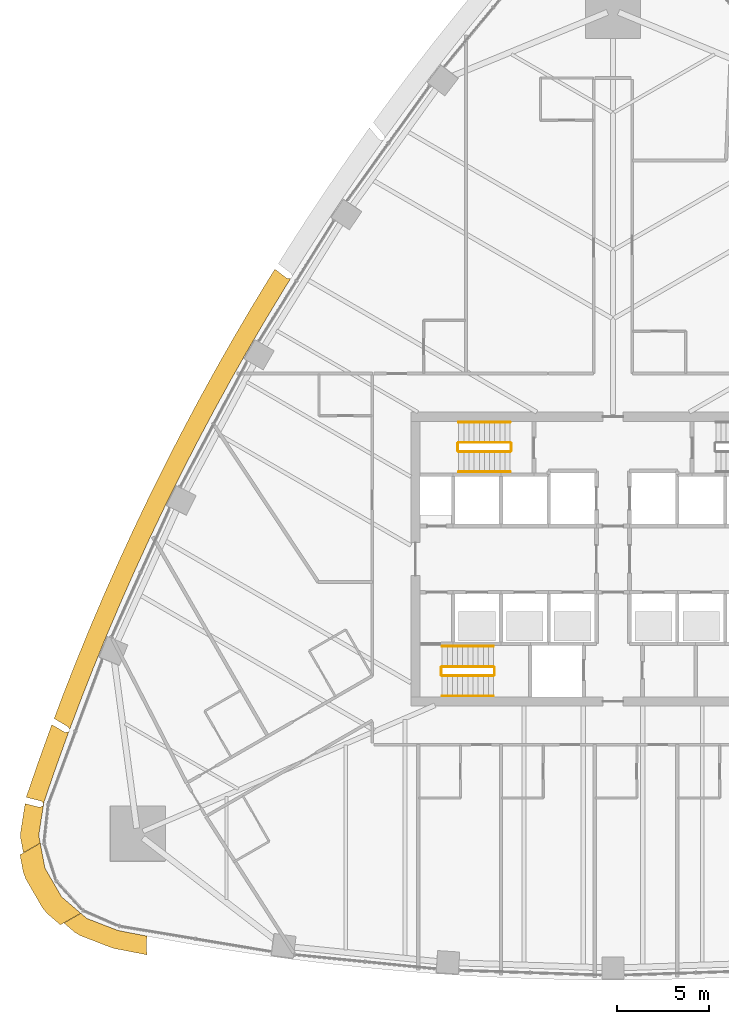
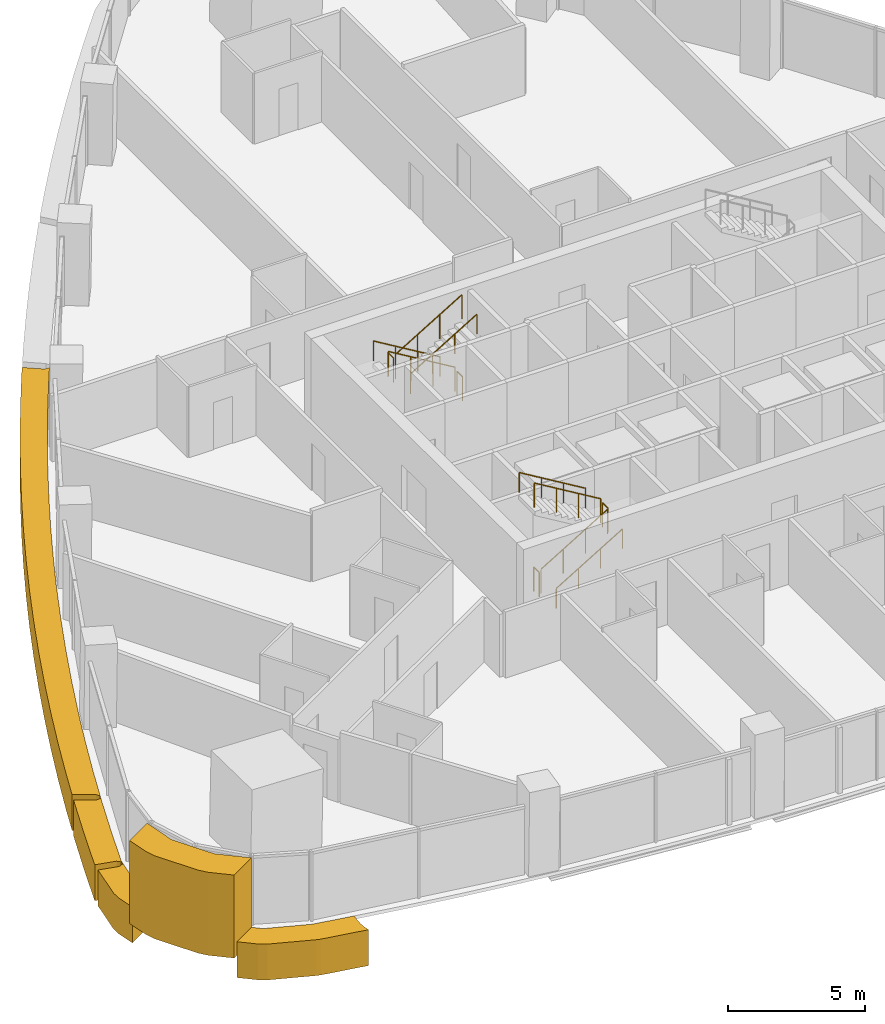
# One storey, part 14 of 17: 12 railings, 3 coverings.
"""IFC4 building model written with IfcOpenShell, lengths in metres."""

from ifc_helpers import new_model, si_unit, direction, frame, origin, origin_2d, place, context, subcontext, project, spatial, polyline, circle, outline, extrude, material, layer, layer_set, type_object, element, save


model = new_model("IFC4")

# Units and contexts
model_context = context("Model", 3, precision=1e-05, world=origin(), true_north=direction((0.0, 1.0)))
body_context = subcontext(model_context, "Body", "Model", "MODEL_VIEW")
ifc_project = project(units=[si_unit("LENGTHUNIT", "METRE"), si_unit("AREAUNIT", "SQUARE_METRE"), si_unit("VOLUMEUNIT", "CUBIC_METRE"), si_unit("PLANEANGLEUNIT", "RADIAN"), si_unit("MASSUNIT", "GRAM", prefix="KILO")], contexts=[model_context])

# Site, building, storey
site_placement = place(None, origin())
site = spatial("IfcSite", under=ifc_project, at=site_placement, CompositionType="ELEMENT")
building_placement = place(site_placement, origin())
building = spatial("IfcBuilding", under=site, at=building_placement, Name="Sierra Prisma Convention Tower", CompositionType="ELEMENT")
storey_placement = place(building_placement, frame((0.0, 0.0, 92.39990234375)))
storey = spatial("IfcBuildingStorey", under=building, at=storey_placement, Name="L19", CompositionType="ELEMENT", Elevation=92.39990234375)

# Coverings
ifc_material_1 = material(Name="Aluminium composite bronze anodised", Category="aluminium")
ifc_layer_1 = layer(ifc_material_1, 1.199951171875)
ifc_layer_set_1 = layer_set([ifc_layer_1], Name="Bronze corner pier")
covering_type_1 = type_object("IfcCoveringType", Name="Bronze corner pier", PredefinedType="CLADDING", material=ifc_layer_set_1)
covering_1_placement = place(storey_placement, frame((0.0, 0.0, -0.599853515625)))
element("IfcCovering", 1, at=covering_1_placement, inside=storey, type_object=covering_type_1, Name="Corner pier SW L19.1", PredefinedType="CLADDING", context=body_context, shape_type="SweptSolid", body=[
    extrude(outline(polyline([(-30.076904296875, -19.9052734375), (-30.79736328125, -19.288330078125), (-31.055908203125, -18.976806640625), (-31.96240234375, -17.406982421875), (-32.102783203125, -17.027099609375), (-32.27685546875, -16.0947265625), (-31.1748046875, -15.45849609375), (-30.923095703125, -16.806884765625), (-30.016845703125, -18.376708984375), (-28.974853515625, -19.26904296875), (-30.076904296875, -19.9052734375)])), origin(), (0.0, 0.0, 1.0), 3.699951171875),
])
ifc_material_2 = material(Name="Aluminium composite bronze anodised", Category="aluminium")
ifc_layer_2 = layer(ifc_material_2, 1.0)
ifc_layer_set_2 = layer_set([ifc_layer_2], Name="Bronze spandrel band")
covering_type_2 = type_object("IfcCoveringType", Name="Bronze spandrel band", PredefinedType="CLADDING", material=ifc_layer_set_2)
covering_2_placement = place(storey_placement, frame((0.0, 0.0, -1.599853515625)))
element("IfcCovering", 2, at=covering_2_placement, inside=storey, type_object=covering_type_2, Name="Spandrel band L19.1", PredefinedType="CLADDING", context=body_context, shape_type="SweptSolid", body=[
    extrude(outline(polyline([(-29.65869140625, -9.406982421875), (-29.65380859375, -9.40625), (-29.64892578125, -9.40478515625), (-29.644287109375, -9.403076171875), (-29.639892578125, -9.40087890625), (-29.6357421875, -9.398193359375), (-29.631591796875, -9.395263671875), (-29.628173828125, -9.3916015625), (-29.625, -9.387939453125), (-29.6220703125, -9.3837890625), (-29.61962890625, -9.37939453125), (-29.61767578125, -9.375), (-29.58251953125, -9.281494140625), (-29.580810546875, -9.2763671875), (-29.579833984375, -9.271484375), (-29.579345703125, -9.26611328125), (-29.579345703125, -9.260986328125), (-29.579833984375, -9.255859375), (-29.580810546875, -9.2509765625), (-29.58251953125, -9.245849609375), (-29.584716796875, -9.2412109375), (-29.587158203125, -9.23681640625), (-29.6533203125, -9.1337890625), (-29.656005859375, -9.1298828125), (-29.6591796875, -9.12646484375), (-29.66259765625, -9.123291015625), (-29.666015625, -9.120361328125), (-29.669921875, -9.11767578125), (-30.41845703125, -8.6748046875), (-29.943603515625, -7.412353515625), (-29.938720703125, -7.399169921875), (-29.230712890625, -5.595458984375), (-29.225341796875, -5.58203125), (-28.49169921875, -3.788818359375), (-28.486083984375, -3.775390625), (-27.72705078125, -1.99267578125), (-27.721435546875, -1.9794921875), (-26.93701171875, -0.207763671875), (-26.93115234375, -0.194580078125), (-26.12158203125, 1.56591796875), (-26.115478515625, 1.57861328125), (-25.281005859375, 3.327392578125), (-25.27490234375, 3.34033203125), (-24.415283203125, 5.076904296875), (-24.408935546875, 5.08984375), (-23.52490234375, 6.814208984375), (-23.518310546875, 6.82666015625), (-22.60986328125, 8.538330078125), (-22.60302734375, 8.55078125), (-21.67041015625, 10.249267578125), (-21.663330078125, 10.26171875), (-20.70654296875, 11.94677734375), (-20.699462890625, 11.958984375), (-19.718505859375, 13.630126953125), (-19.711181640625, 13.642333984375), (-18.706787109375, 15.299560546875), (-18.69921875, 15.3115234375), (-18.405517578125, 15.781005859375), (-17.74951171875, 15.285888671875), (-17.745361328125, 15.283203125), (-17.740966796875, 15.28076171875), (-17.736328125, 15.27880859375), (-17.7314453125, 15.27734375), (-17.7265625, 15.2763671875), (-17.7216796875, 15.27587890625), (-17.571044921875, 15.26953125), (-17.56640625, 15.26953125), (-17.5615234375, 15.27001953125), (-17.556884765625, 15.27099609375), (-17.55224609375, 15.2724609375), (-17.5478515625, 15.274169921875), (-17.543701171875, 15.276611328125), (-17.540283203125, 15.27880859375), (-17.8515625, 14.781005859375), (-18.856201171875, 13.1240234375), (-19.52294921875, 11.988037109375), (-19.524169921875, 11.9873046875), (-19.52783203125, 11.98388671875), (-19.53125, 11.98046875), (-19.5341796875, 11.9765625), (-19.536865234375, 11.972412109375), (-20.136962890625, 10.933349609375), (-20.13916015625, 10.928955078125), (-20.14111328125, 10.92431640625), (-20.142333984375, 10.919677734375), (-20.143310546875, 10.914794921875), (-20.143310546875, 10.913330078125), (-20.793701171875, 9.767822265625), (-21.7265625, 8.0693359375), (-22.635009765625, 6.35791015625), (-23.51904296875, 4.633544921875), (-23.81689453125, 4.031982421875), (-23.818359375, 4.03076171875), (-23.822021484375, 4.02734375), (-23.824951171875, 4.023681640625), (-23.82763671875, 4.019775390625), (-23.830078125, 4.015380859375), (-24.359619140625, 2.938720703125), (-24.361572265625, 2.93408203125), (-24.363037109375, 2.929443359375), (-24.36376953125, 2.9267578125), (-24.37841796875, 2.896728515625), (-25.213134765625, 1.14794921875), (-26.022705078125, -0.612548828125), (-26.80712890625, -2.384521484375), (-27.566162109375, -4.167236328125), (-27.578857421875, -4.1982421875), (-27.58056640625, -4.20068359375), (-27.5830078125, -4.204833984375), (-27.585205078125, -4.208984375), (-28.0419921875, -5.318603515625), (-28.043701171875, -5.3232421875), (-28.044921875, -5.328125), (-28.04541015625, -5.3330078125), (-28.0458984375, -5.337890625), (-28.045654296875, -5.339599609375), (-28.2998046875, -5.960693359375), (-29.0078125, -7.764404296875), (-29.68994140625, -9.578125), (-30.34619140625, -11.4013671875), (-30.9765625, -13.233642578125), (-31.255859375, -15.02490234375), (-31.1767578125, -15.447998046875), (-32.09521484375, -15.978271484375), (-32.23876953125, -15.208251953125), (-32.243896484375, -14.870849609375), (-32.00048828125, -13.309814453125), (-31.22900390625, -13.500244140625), (-31.22412109375, -13.501220703125), (-31.218994140625, -13.501708984375), (-31.214111328125, -13.501708984375), (-31.208984375, -13.501220703125), (-31.2041015625, -13.5), (-31.199462890625, -13.498291015625), (-31.05859375, -13.445068359375), (-31.05419921875, -13.443115234375), (-31.050048828125, -13.44091796875), (-31.0458984375, -13.43798828125), (-31.04248046875, -13.43505859375), (-31.0390625, -13.431640625), (-31.035888671875, -13.427734375), (-31.033447265625, -13.423828125), (-31.031005859375, -13.419677734375), (-31.029296875, -13.415283203125), (-31.02783203125, -13.41064453125), (-31.02685546875, -13.406005859375), (-31.011474609375, -13.30712890625), (-31.010986328125, -13.30224609375), (-31.010986328125, -13.297607421875), (-31.011474609375, -13.29248046875), (-31.01220703125, -13.287841796875), (-31.013671875, -13.283203125), (-31.015380859375, -13.27880859375), (-31.017578125, -13.2744140625), (-31.020263671875, -13.270263671875), (-31.023193359375, -13.2666015625), (-31.026611328125, -13.262939453125), (-31.123046875, -13.172607421875), (-31.126953125, -13.169189453125), (-31.131103515625, -13.166259765625), (-31.135498046875, -13.163818359375), (-31.140380859375, -13.161865234375), (-31.145263671875, -13.160400390625), (-31.936279296875, -12.965087890625), (-31.922119140625, -12.908447265625), (-31.2919921875, -11.076171875), (-31.287109375, -11.062744140625), (-30.630859375, -9.239501953125), (-30.6259765625, -9.22607421875), (-30.543701171875, -9.00732421875), (-29.848388671875, -9.4189453125), (-29.84423828125, -9.421142578125), (-29.83984375, -9.4228515625), (-29.83544921875, -9.42431640625), (-29.830810546875, -9.42529296875), (-29.826416015625, -9.42578125), (-29.82177734375, -9.42578125), (-29.81689453125, -9.425537109375), (-29.65869140625, -9.406982421875)])), origin(), (0.0, 0.0, 1.0), 1.599853515625),
])
covering_3_placement = place(storey_placement, frame((0.0, 0.0, -1.599853515625)))
element("IfcCovering", 3, at=covering_3_placement, inside=storey, type_object=covering_type_2, Name="Spandrel band L19.2", PredefinedType="CLADDING", context=body_context, shape_type="SweptSolid", body=[
    extrude(outline(polyline([(-29.290283203125, -20.3154296875), (-29.885009765625, -19.80615234375), (-28.966796875, -19.27587890625), (-28.639892578125, -19.555908203125), (-26.948974609375, -20.209716796875), (-25.35791015625, -20.519287109375), (-25.3720703125, -20.603515625), (-25.40087890625, -20.849365234375), (-25.405517578125, -21.096923828125), (-25.3857421875, -21.343994140625), (-25.350341796875, -21.539794921875), (-27.14013671875, -21.191162109375), (-27.309814453125, -21.142333984375), (-29.00048828125, -20.488525390625), (-29.290283203125, -20.3154296875)])), origin(), (0.0, 0.0, 1.0), 1.599853515625),
])

# Railings
ifc_material_3 = material(Name="Stainless steel", Category="steel")
railing_type_1 = type_object("IfcRailingType", Name="Exit stair handrail", PredefinedType="HANDRAIL", material=ifc_material_3)
railing_1_placement = place(storey_placement, frame((-9.300048828125, -7.449951171875, 0.168212890625)))
element("IfcRailing", 4, at=railing_1_placement, inside=storey, type_object=railing_type_1, Name="L19 S1 stair handrail 1", PredefinedType="HANDRAIL", context=body_context, shape_type="SweptSolid", body=[
    extrude(circle(Radius=0.02392578125, at=origin_2d()), frame((0.0, 0.0, 0.8759765625), z_axis=(0.857242210791, 0.0, 0.514913383045), x_axis=(0.0, 1.0, 0.0)), (0.0, 0.0, 1.0), 3.266357421875),
    extrude(circle(Radius=0.02099609375, at=origin_2d()), origin(), (0.0, 0.0, 1.0), 0.851806640625),
    extrude(circle(Radius=0.02099609375, at=origin_2d()), frame((0.933349609375, 0.0, 0.560546875)), (0.0, 0.0, 1.0), 0.851806640625),
    extrude(circle(Radius=0.02099609375, at=origin_2d()), frame((1.86669921875, 0.0, 1.121337890625)), (0.0, 0.0, 1.0), 0.851806640625),
    extrude(circle(Radius=0.02099609375, at=origin_2d()), frame((2.800048828125, 0.0, 1.681884765625)), (0.0, 0.0, 1.0), 0.851806640625),
])
railing_2_placement = place(storey_placement, frame((-6.5, -4.75, 2.018310546875)))
element("IfcRailing", 5, at=railing_2_placement, inside=storey, type_object=railing_type_1, Name="L19 S1 stair handrail 2", PredefinedType="HANDRAIL", context=body_context, shape_type="SweptSolid", body=[
    extrude(circle(Radius=0.02392578125, at=origin_2d()), frame((0.0, 0.0, 0.8759765625), z_axis=(-0.857242210791, 0.0, 0.514913383045), x_axis=(0.0, -1.0, 0.0)), (0.0, 0.0, 1.0), 3.266357421875),
    extrude(circle(Radius=0.02099609375, at=origin_2d()), origin(), (0.0, 0.0, 1.0), 0.851806640625),
    extrude(circle(Radius=0.02099609375, at=origin_2d()), frame((-0.933349609375, 0.0, 0.560546875)), (0.0, 0.0, 1.0), 0.851806640625),
    extrude(circle(Radius=0.02099609375, at=origin_2d()), frame((-1.86669921875, 0.0, 1.121337890625)), (0.0, 0.0, 1.0), 0.851806640625),
    extrude(circle(Radius=0.02099609375, at=origin_2d()), frame((-2.800048828125, 0.0, 1.681884765625)), (0.0, 0.0, 1.0), 0.851806640625),
])
railing_3_placement = place(storey_placement, frame((-5.60009765625, 7.449951171875, 0.168212890625)))
element("IfcRailing", 6, at=railing_3_placement, inside=storey, type_object=railing_type_1, Name="L19 S3 stair handrail 1", PredefinedType="HANDRAIL", context=body_context, shape_type="SweptSolid", body=[
    extrude(circle(Radius=0.02392578125, at=origin_2d()), frame((0.0, 0.0, 0.8759765625), z_axis=(-0.857222391501, 0.0, 0.514946377315), x_axis=(0.0, -1.0, 0.0)), (0.0, 0.0, 1.0), 3.26611328125),
    extrude(circle(Radius=0.02099609375, at=origin_2d()), origin(), (0.0, 0.0, 1.0), 0.851806640625),
    extrude(circle(Radius=0.02099609375, at=origin_2d()), frame((-0.933349609375, 0.0, 0.560546875)), (0.0, 0.0, 1.0), 0.851806640625),
    extrude(circle(Radius=0.02099609375, at=origin_2d()), frame((-1.866455078125, 0.0, 1.121337890625)), (0.0, 0.0, 1.0), 0.851806640625),
    extrude(circle(Radius=0.02099609375, at=origin_2d()), frame((-2.7998046875, 0.0, 1.681884765625)), (0.0, 0.0, 1.0), 0.851806640625),
])
railing_4_placement = place(storey_placement, frame((-8.39990234375, 4.75, 2.018310546875)))
element("IfcRailing", 7, at=railing_4_placement, inside=storey, type_object=railing_type_1, Name="L19 S3 stair handrail 2", PredefinedType="HANDRAIL", context=body_context, shape_type="SweptSolid", body=[
    extrude(circle(Radius=0.02392578125, at=origin_2d()), frame((0.0, 0.0, 0.8759765625), z_axis=(0.857222391501, 0.0, 0.514946377315), x_axis=(0.0, 1.0, 0.0)), (0.0, 0.0, 1.0), 3.26611328125),
    extrude(circle(Radius=0.02099609375, at=origin_2d()), origin(), (0.0, 0.0, 1.0), 0.851806640625),
    extrude(circle(Radius=0.02099609375, at=origin_2d()), frame((0.933349609375, 0.0, 0.560546875)), (0.0, 0.0, 1.0), 0.851806640625),
    extrude(circle(Radius=0.02099609375, at=origin_2d()), frame((1.866455078125, 0.0, 1.121337890625)), (0.0, 0.0, 1.0), 0.851806640625),
    extrude(circle(Radius=0.02099609375, at=origin_2d()), frame((2.7998046875, 0.0, 1.681884765625)), (0.0, 0.0, 1.0), 0.851806640625),
])
ifc_material_4 = material(Name="Stainless steel", Category="steel")
railing_type_2 = type_object("IfcRailingType", Name="Stair guard 1100", PredefinedType="GUARDRAIL", material=ifc_material_4)
railing_5_placement = place(storey_placement, frame((-9.300048828125, -6.35009765625, 0.168212890625)))
element("IfcRailing", 8, at=railing_5_placement, inside=storey, type_object=railing_type_2, Name="L19 S1 stair guard 1", PredefinedType="GUARDRAIL", context=body_context, shape_type="SweptSolid", body=[
    extrude(circle(Radius=0.02392578125, at=origin_2d()), frame((0.0, 0.0, 1.076171875), z_axis=(0.857242210791, 0.0, 0.514913383045), x_axis=(0.0, 1.0, 0.0)), (0.0, 0.0, 1.0), 3.266357421875),
    extrude(circle(Radius=0.02099609375, at=origin_2d()), origin(), (0.0, 0.0, 1.0), 1.052001953125),
    extrude(circle(Radius=0.02099609375, at=origin_2d()), frame((0.933349609375, 0.0, 0.560546875)), (0.0, 0.0, 1.0), 1.052001953125),
    extrude(circle(Radius=0.02099609375, at=origin_2d()), frame((1.86669921875, 0.0, 1.121337890625)), (0.0, 0.0, 1.0), 1.052001953125),
    extrude(circle(Radius=0.02099609375, at=origin_2d()), frame((2.800048828125, 0.0, 1.681884765625)), (0.0, 0.0, 1.0), 1.052001953125),
])
railing_6_placement = place(storey_placement, frame((-6.449951171875, -6.300048828125, 1.85009765625)))
element("IfcRailing", 9, at=railing_6_placement, inside=storey, type_object=railing_type_2, Name="L19 S1 stair guard 2", PredefinedType="GUARDRAIL", context=body_context, shape_type="SweptSolid", body=[
    extrude(circle(Radius=0.02392578125, at=origin_2d()), frame((0.0, 0.0, 1.076171875), z_axis=(0.0, 1.0, 0.0), x_axis=(-1.0, 0.0, 0.0)), (0.0, 0.0, 1.0), 0.400146484375),
    extrude(circle(Radius=0.02099609375, at=origin_2d()), origin(), (0.0, 0.0, 1.0), 1.052001953125),
    extrude(circle(Radius=0.02099609375, at=origin_2d()), frame((0.0, 0.400146484375, 0.0)), (0.0, 0.0, 1.0), 1.052001953125),
])
railing_7_placement = place(storey_placement, frame((-6.5, -5.85009765625, 2.018310546875)))
element("IfcRailing", 10, at=railing_7_placement, inside=storey, type_object=railing_type_2, Name="L19 S1 stair guard 3", PredefinedType="GUARDRAIL", context=body_context, shape_type="SweptSolid", body=[
    extrude(circle(Radius=0.02392578125, at=origin_2d()), frame((0.0, 0.0, 1.076171875), z_axis=(-0.857242210791, 0.0, 0.514913383045), x_axis=(0.0, -1.0, 0.0)), (0.0, 0.0, 1.0), 3.266357421875),
    extrude(circle(Radius=0.02099609375, at=origin_2d()), origin(), (0.0, 0.0, 1.0), 1.052001953125),
    extrude(circle(Radius=0.02099609375, at=origin_2d()), frame((-0.933349609375, 0.0, 0.560546875)), (0.0, 0.0, 1.0), 1.052001953125),
    extrude(circle(Radius=0.02099609375, at=origin_2d()), frame((-1.86669921875, 0.0, 1.121337890625)), (0.0, 0.0, 1.0), 1.052001953125),
    extrude(circle(Radius=0.02099609375, at=origin_2d()), frame((-2.800048828125, 0.0, 1.681884765625)), (0.0, 0.0, 1.0), 1.052001953125),
])
railing_8_placement = place(storey_placement, frame((-9.35009765625, -6.300048828125, 0.0)))
element("IfcRailing", 11, at=railing_8_placement, inside=storey, type_object=railing_type_2, Name="L19 S1 stair guard 4", PredefinedType="GUARDRAIL", context=body_context, shape_type="SweptSolid", body=[
    extrude(circle(Radius=0.02392578125, at=origin_2d()), frame((0.0, 0.0, 1.076171875), z_axis=(0.0, 1.0, 0.0), x_axis=(-1.0, 0.0, 0.0)), (0.0, 0.0, 1.0), 0.400146484375),
    extrude(circle(Radius=0.02099609375, at=origin_2d()), origin(), (0.0, 0.0, 1.0), 1.052001953125),
    extrude(circle(Radius=0.02099609375, at=origin_2d()), frame((0.0, 0.400146484375, 0.0)), (0.0, 0.0, 1.0), 1.052001953125),
])
railing_9_placement = place(storey_placement, frame((-5.60009765625, 6.35009765625, 0.168212890625)))
element("IfcRailing", 12, at=railing_9_placement, inside=storey, type_object=railing_type_2, Name="L19 S3 stair guard 1", PredefinedType="GUARDRAIL", context=body_context, shape_type="SweptSolid", body=[
    extrude(circle(Radius=0.02392578125, at=origin_2d()), frame((0.0, 0.0, 1.076171875), z_axis=(-0.857222391501, 0.0, 0.514946377315), x_axis=(0.0, -1.0, 0.0)), (0.0, 0.0, 1.0), 3.26611328125),
    extrude(circle(Radius=0.02099609375, at=origin_2d()), origin(), (0.0, 0.0, 1.0), 1.052001953125),
    extrude(circle(Radius=0.02099609375, at=origin_2d()), frame((-0.933349609375, 0.0, 0.560546875)), (0.0, 0.0, 1.0), 1.052001953125),
    extrude(circle(Radius=0.02099609375, at=origin_2d()), frame((-1.866455078125, 0.0, 1.121337890625)), (0.0, 0.0, 1.0), 1.052001953125),
    extrude(circle(Radius=0.02099609375, at=origin_2d()), frame((-2.7998046875, 0.0, 1.681884765625)), (0.0, 0.0, 1.0), 1.052001953125),
])
railing_10_placement = place(storey_placement, frame((-8.449951171875, 6.300048828125, 1.85009765625)))
element("IfcRailing", 13, at=railing_10_placement, inside=storey, type_object=railing_type_2, Name="L19 S3 stair guard 2", PredefinedType="GUARDRAIL", context=body_context, shape_type="SweptSolid", body=[
    extrude(circle(Radius=0.02392578125, at=origin_2d()), frame((0.0, 0.0, 1.076171875), z_axis=(0.0, -1.0, 0.0), x_axis=(1.0, 0.0, 0.0)), (0.0, 0.0, 1.0), 0.400146484375),
    extrude(circle(Radius=0.02099609375, at=origin_2d()), origin(), (0.0, 0.0, 1.0), 1.052001953125),
    extrude(circle(Radius=0.02099609375, at=origin_2d()), frame((0.0, -0.400146484375, 0.0)), (0.0, 0.0, 1.0), 1.052001953125),
])
railing_11_placement = place(storey_placement, frame((-8.39990234375, 5.85009765625, 2.018310546875)))
element("IfcRailing", 14, at=railing_11_placement, inside=storey, type_object=railing_type_2, Name="L19 S3 stair guard 3", PredefinedType="GUARDRAIL", context=body_context, shape_type="SweptSolid", body=[
    extrude(circle(Radius=0.02392578125, at=origin_2d()), frame((0.0, 0.0, 1.076171875), z_axis=(0.857222391501, 0.0, 0.514946377315), x_axis=(0.0, 1.0, 0.0)), (0.0, 0.0, 1.0), 3.26611328125),
    extrude(circle(Radius=0.02099609375, at=origin_2d()), origin(), (0.0, 0.0, 1.0), 1.052001953125),
    extrude(circle(Radius=0.02099609375, at=origin_2d()), frame((0.933349609375, 0.0, 0.560546875)), (0.0, 0.0, 1.0), 1.052001953125),
    extrude(circle(Radius=0.02099609375, at=origin_2d()), frame((1.866455078125, 0.0, 1.121337890625)), (0.0, 0.0, 1.0), 1.052001953125),
    extrude(circle(Radius=0.02099609375, at=origin_2d()), frame((2.7998046875, 0.0, 1.681884765625)), (0.0, 0.0, 1.0), 1.052001953125),
])
railing_12_placement = place(storey_placement, frame((-5.550048828125, 6.300048828125, 0.0)))
element("IfcRailing", 15, at=railing_12_placement, inside=storey, type_object=railing_type_2, Name="L19 S3 stair guard 4", PredefinedType="GUARDRAIL", context=body_context, shape_type="SweptSolid", body=[
    extrude(circle(Radius=0.02392578125, at=origin_2d()), frame((0.0, 0.0, 1.076171875), z_axis=(0.0, -1.0, 0.0), x_axis=(1.0, 0.0, 0.0)), (0.0, 0.0, 1.0), 0.400146484375),
    extrude(circle(Radius=0.02099609375, at=origin_2d()), origin(), (0.0, 0.0, 1.0), 1.052001953125),
    extrude(circle(Radius=0.02099609375, at=origin_2d()), frame((0.0, -0.400146484375, 0.0)), (0.0, 0.0, 1.0), 1.052001953125),
])

save(model, "model.ifc")
